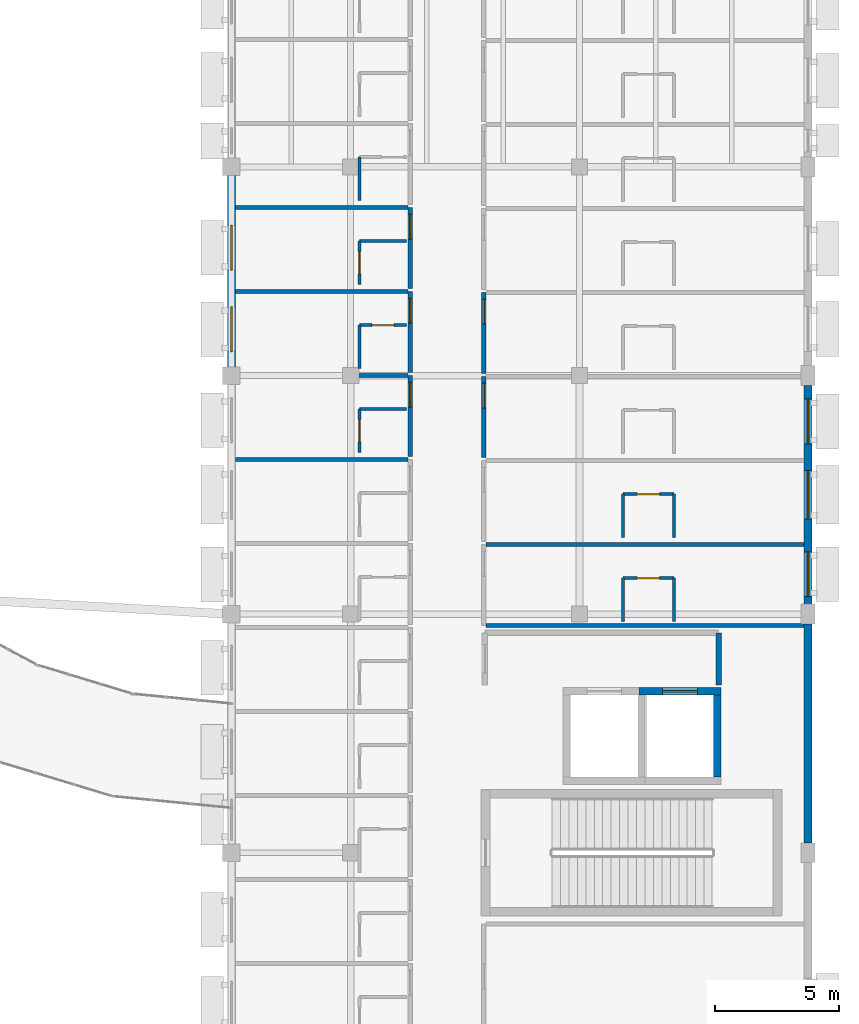
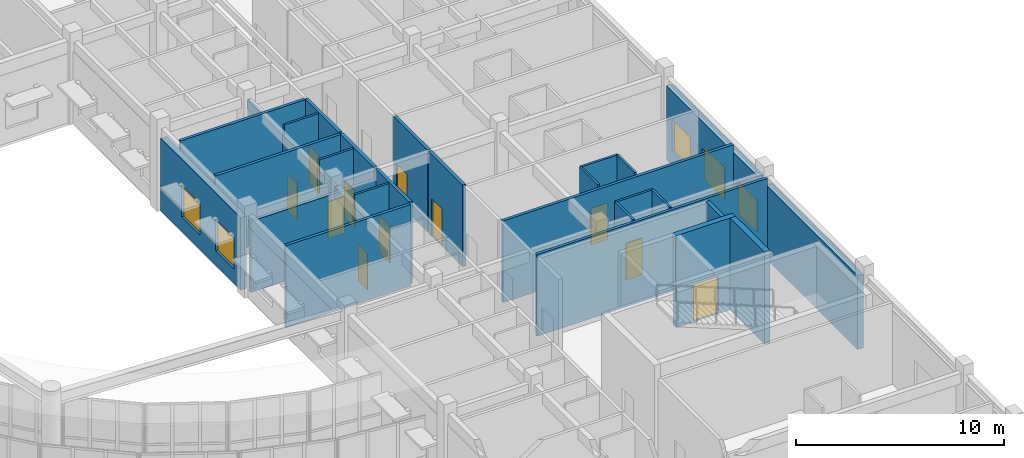
# One storey, part 52 of 68: 30 walls, 11 doors, 5 windows, 16 openings.
"""IFC4 building model written with IfcOpenShell, lengths in metres."""

from ifc_helpers import new_model, si_unit, direction, frame, frame_2d, origin, place, context, subcontext, project, spatial, rectangle, extrude, material, layer, layer_set, type_object, element, fill, save


model = new_model("IFC4")

# Units and contexts
model_context = context("Model", 3, precision=1e-05, world=origin(), true_north=direction((0.0, 1.0)))
body_context = subcontext(model_context, "Body", "Model", "MODEL_VIEW")
ifc_project = project(units=[si_unit("LENGTHUNIT", "METRE"), si_unit("AREAUNIT", "SQUARE_METRE"), si_unit("VOLUMEUNIT", "CUBIC_METRE"), si_unit("PLANEANGLEUNIT", "RADIAN"), si_unit("MASSUNIT", "GRAM", prefix="KILO")], contexts=[model_context])

# Site, building, storey
site_placement = place(None, origin())
site = spatial("IfcSite", under=ifc_project, at=site_placement, CompositionType="ELEMENT")
building_placement = place(site_placement, origin())
building = spatial("IfcBuilding", under=site, at=building_placement, Name="Veldera Park Congress Hotel", CompositionType="ELEMENT")
storey_placement = place(building_placement, frame((0.0, 0.0, 10.800048828125)))
storey = spatial("IfcBuildingStorey", under=building, at=storey_placement, Name="L02", CompositionType="ELEMENT", Elevation=10.800048828125)

# Wall
ifc_material_1 = material(Name="Cross-laminated timber CLT V2M1.1", Category="wood")
ifc_layer_1 = layer(ifc_material_1, 0.320068359375)
ifc_layer_set_1 = layer_set([ifc_layer_1], Name="Cross-laminated timber CLT V2M1.1")
wall_type_1 = type_object("IfcWallType", Name="EW-CLT320", PredefinedType="STANDARD", material=ifc_layer_set_1)
wall_1_placement = place(storey_placement, frame((84.0, -8.60205078125, 0.0), z_axis=(0.0, 0.0, 1.0), x_axis=(0.0, 1.0, 0.0)))
element("IfcWall", 1, at=wall_1_placement, inside=storey, type_object=wall_type_1, Name="L02 Exterior Wall EW3-L02-0180", PredefinedType="STANDARD", context=body_context, shape_type="SweptSolid", body=[
    extrude(rectangle(XDim=8.803955078125, YDim=0.320068359375, at=frame_2d((4.40185546875, 0.0))), origin(), (0.0, 0.0, 1.0), 4.33203125),
])

# Wall, openings, windows
wall_2_placement = place(storey_placement, frame((84.0, 0.998046875, 0.0), z_axis=(0.0, 0.0, 1.0), x_axis=(0.0, 1.0, 0.0)))
wall_2 = element("IfcWall", 2, at=wall_2_placement, inside=storey, type_object=wall_type_1, Name="L02 Exterior Wall EW3-L02-0181", PredefinedType="STANDARD", context=body_context, shape_type="SweptSolid", body=[
    extrude(rectangle(XDim=8.803955078125, YDim=0.320068359375, at=frame_2d((4.40185546875, 0.0))), origin(), (0.0, 0.0, 1.0), 4.33203125),
])
opening_1_placement = place(wall_2_placement, frame((3.427001953125, 0.0, 0.85009765625)))
opening_1 = element("IfcOpeningElement", 3, at=opening_1_placement, cuts=wall_2, Name="Opening WIN-1950", PredefinedType="OPENING", context=body_context, shape_type="SweptSolid", body=[
    extrude(rectangle(XDim=1.949951171875, YDim=1.89990234375, at=frame_2d((0.97509765625, 0.949951171875))), frame((0.0, 0.172119140625, 0.0), z_axis=(0.0, -1.0, 0.0), x_axis=(1.0, 0.0, 0.0)), (0.0, 0.0, 1.0), 0.343994140625),
])
opening_2_placement = place(wall_2_placement, frame((0.305908203125, 0.0, 0.85009765625)))
opening_2 = element("IfcOpeningElement", 4, at=opening_2_placement, cuts=wall_2, Name="Opening WIN-1800", PredefinedType="OPENING", context=body_context, shape_type="SweptSolid", body=[
    extrude(rectangle(XDim=1.800048828125, YDim=1.85009765625, at=frame_2d((0.89990234375, 0.925048828125))), frame((0.0, 0.172119140625, 0.0), z_axis=(0.0, -1.0, 0.0), x_axis=(1.0, 0.0, 0.0)), (0.0, 0.0, 1.0), 0.343994140625),
])
opening_3_placement = place(wall_2_placement, frame((6.4580078125, 0.0, 0.85009765625)))
opening_3 = element("IfcOpeningElement", 5, at=opening_3_placement, cuts=wall_2, Name="Opening WIN-1800", PredefinedType="OPENING", context=body_context, shape_type="SweptSolid", body=[
    extrude(rectangle(XDim=1.800048828125, YDim=1.85009765625, at=frame_2d((0.89990234375, 0.925048828125))), frame((0.0, 0.172119140625, 0.0), z_axis=(0.0, -1.0, 0.0), x_axis=(1.0, 0.0, 0.0)), (0.0, 0.0, 1.0), 0.343994140625),
])
ifc_material_2 = material(Name="Low-E Triple Insulating Glass Unit (SHGC 0.22)", Category="glass")
window_type_1 = type_object("IfcWindowType", Name="WIN-1800", PartitioningType="SINGLE_PANEL", PredefinedType="WINDOW", material=ifc_material_2)
window_1_placement = place(opening_2_placement, origin())
window_1 = element("IfcWindow", 6, at=window_1_placement, inside=storey, type_object=window_type_1, Name="L02 Window WIN-1800 387", OverallHeight=1.85009765625, OverallWidth=1.800048828125, PartitioningType="SINGLE_PANEL", PredefinedType="WINDOW", context=body_context, shape_type="SweptSolid", body=[
    extrude(rectangle(XDim=1.800048828125, YDim=1.85009765625, at=frame_2d((0.89990234375, 0.925048828125))), frame((0.0, 0.030029296875, 0.0), z_axis=(0.0, -1.0, 0.0), x_axis=(1.0, 0.0, 0.0)), (0.0, 0.0, 1.0), 0.06005859375),
])
fill(opening_2, window_1)
window_2_placement = place(opening_3_placement, origin())
window_2 = element("IfcWindow", 7, at=window_2_placement, inside=storey, type_object=window_type_1, Name="L02 Window WIN-1800 388", OverallHeight=1.85009765625, OverallWidth=1.800048828125, PartitioningType="SINGLE_PANEL", PredefinedType="WINDOW", context=body_context, shape_type="SweptSolid", body=[
    extrude(rectangle(XDim=1.800048828125, YDim=1.85009765625, at=frame_2d((0.89990234375, 0.925048828125))), frame((0.0, 0.030029296875, 0.0), z_axis=(0.0, -1.0, 0.0), x_axis=(1.0, 0.0, 0.0)), (0.0, 0.0, 1.0), 0.06005859375),
])
fill(opening_3, window_2)
window_type_2 = type_object("IfcWindowType", Name="WIN-1950", PartitioningType="DOUBLE_PANEL_VERTICAL", PredefinedType="WINDOW", material=ifc_material_2)
window_3_placement = place(opening_1_placement, origin())
window_3 = element("IfcWindow", 8, at=window_3_placement, inside=storey, type_object=window_type_2, Name="L02 Window WIN-1950 179", OverallHeight=1.89990234375, OverallWidth=1.949951171875, PartitioningType="DOUBLE_PANEL_VERTICAL", PredefinedType="WINDOW", context=body_context, shape_type="SweptSolid", body=[
    extrude(rectangle(XDim=1.949951171875, YDim=1.89990234375, at=frame_2d((0.97509765625, 0.949951171875))), frame((0.0, 0.030029296875, 0.0), z_axis=(0.0, -1.0, 0.0), x_axis=(1.0, 0.0, 0.0)), (0.0, 0.0, 1.0), 0.06005859375),
])
fill(opening_1, window_3)

wall_3_placement = place(storey_placement, frame((60.800048828125, 18.251953125, 0.0), z_axis=(0.0, 0.0, 1.0), x_axis=(0.0, -1.0, 0.0)))
wall_3 = element("IfcWall", 9, at=wall_3_placement, inside=storey, type_object=wall_type_1, Name="L02 Exterior Wall EW3-L02-0199", PredefinedType="STANDARD", context=body_context, shape_type="SweptSolid", body=[
    extrude(rectangle(XDim=7.703857421875, YDim=0.320068359375, at=frame_2d((3.85205078125, 0.0))), origin(), (0.0, 0.0, 1.0), 4.2548828125),
])
opening_4_placement = place(wall_3_placement, frame((5.282958984375, 0.0, 0.85009765625)))
opening_4 = element("IfcOpeningElement", 10, at=opening_4_placement, cuts=wall_3, Name="Opening WIN-1800", PredefinedType="OPENING", context=body_context, shape_type="SweptSolid", body=[
    extrude(rectangle(XDim=1.800048828125, YDim=1.85009765625, at=frame_2d((0.89990234375, 0.925048828125))), frame((0.0, 0.172119140625, 0.0), z_axis=(0.0, -1.0, 0.0), x_axis=(1.0, 0.0, 0.0)), (0.0, 0.0, 1.0), 0.343994140625),
])
opening_5_placement = place(wall_3_placement, frame((2.011962890625, 0.0, 0.85009765625)))
opening_5 = element("IfcOpeningElement", 11, at=opening_5_placement, cuts=wall_3, Name="Opening WIN-1800", PredefinedType="OPENING", context=body_context, shape_type="SweptSolid", body=[
    extrude(rectangle(XDim=1.800048828125, YDim=1.85009765625, at=frame_2d((0.89990234375, 0.925048828125))), frame((0.0, 0.172119140625, 0.0), z_axis=(0.0, -1.0, 0.0), x_axis=(1.0, 0.0, 0.0)), (0.0, 0.0, 1.0), 0.343994140625),
])
window_4_placement = place(opening_4_placement, origin())
window_4 = element("IfcWindow", 12, at=window_4_placement, inside=storey, type_object=window_type_1, Name="L02 Window WIN-1800 372", OverallHeight=1.85009765625, OverallWidth=1.800048828125, PartitioningType="SINGLE_PANEL", PredefinedType="WINDOW", context=body_context, shape_type="SweptSolid", body=[
    extrude(rectangle(XDim=1.800048828125, YDim=1.85009765625, at=frame_2d((0.89990234375, 0.925048828125))), frame((0.0, 0.030029296875, 0.0), z_axis=(0.0, -1.0, 0.0), x_axis=(1.0, 0.0, 0.0)), (0.0, 0.0, 1.0), 0.06005859375),
])
fill(opening_4, window_4)
window_5_placement = place(opening_5_placement, origin())
window_5 = element("IfcWindow", 13, at=window_5_placement, inside=storey, type_object=window_type_1, Name="L02 Window WIN-1800 373", OverallHeight=1.85009765625, OverallWidth=1.800048828125, PartitioningType="SINGLE_PANEL", PredefinedType="WINDOW", context=body_context, shape_type="SweptSolid", body=[
    extrude(rectangle(XDim=1.800048828125, YDim=1.85009765625, at=frame_2d((0.89990234375, 0.925048828125))), frame((0.0, 0.030029296875, 0.0), z_axis=(0.0, -1.0, 0.0), x_axis=(1.0, 0.0, 0.0)), (0.0, 0.0, 1.0), 0.06005859375),
])
fill(opening_5, window_5)

# Wall, opening, door
ifc_material_3 = material(Name="Fire-Rated Gypsum Board on Cold-Formed Steel Studs", Category="steel")
ifc_layer_2 = layer(ifc_material_3, 0.1201171875)
ifc_layer_set_2 = layer_set([ifc_layer_2], Name="Fire-Rated Gypsum Board on Cold-Formed Steel Studs")
wall_type_2 = type_object("IfcWallType", Name="IW-BATH120", PredefinedType="PARTITIONING", material=ifc_layer_set_2)
wall_4_placement = place(storey_placement, frame((65.949951171875, 7.10009765625, 0.0), z_axis=(0.0, 0.0, 1.0), x_axis=(0.0, 1.0, 0.0)))
wall_4 = element("IfcWall", 14, at=wall_4_placement, inside=storey, type_object=wall_type_2, Name="L02 Partition Wall IW3-L02-00426", PredefinedType="PARTITIONING", context=body_context, shape_type="SweptSolid", body=[
    extrude(rectangle(XDim=1.75, YDim=0.1201171875, at=frame_2d((0.875, 0.0))), origin(), (0.0, 0.0, 1.0), 4.155029296875),
])
opening_6_placement = place(wall_4_placement, frame((0.425048828125, 0.0, 0.0)))
opening_6 = element("IfcOpeningElement", 15, at=opening_6_placement, cuts=wall_4, Name="Opening ID-BATH090", PredefinedType="OPENING", context=body_context, shape_type="SweptSolid", body=[
    extrude(rectangle(XDim=0.89990234375, YDim=2.14990234375, at=frame_2d((0.449951171875, 1.074951171875))), frame((0.0, 0.072021484375, 0.0), z_axis=(0.0, -1.0, 0.0), x_axis=(1.0, 0.0, 0.0)), (0.0, 0.0, 1.0), 0.14404296875),
])
ifc_material_4 = material(Name="Solid Core White Oak Architectural Door", Category="wood")
door_type_1 = type_object("IfcDoorType", Name="ID-BATH090", OperationType="NOTDEFINED", PredefinedType="DOOR", material=ifc_material_4)
door_1_placement = place(opening_6_placement, origin())
door_1 = element("IfcDoor", 16, at=door_1_placement, inside=storey, type_object=door_type_1, Name="L02 En-suite 016 Door ID3-L02-0171 (DR3-ID3-L02-0171)", OperationType="SINGLE_SWING_LEFT", OverallHeight=2.14990234375, OverallWidth=0.89990234375, PredefinedType="DOOR", context=body_context, shape_type="SweptSolid", body=[
    extrude(rectangle(XDim=0.89990234375, YDim=2.14990234375, at=frame_2d((0.449951171875, 1.074951171875))), frame((0.0, 0.02490234375, 0.0), z_axis=(0.0, -1.0, 0.0), x_axis=(1.0, 0.0, 0.0)), (0.0, 0.0, 1.0), 0.050048828125),
])
fill(opening_6, door_1)

# Walls
wall_5_placement = place(storey_placement, frame((65.949951171875, 8.85009765625, 0.0), z_axis=(0.0, 0.0, 1.0), x_axis=(1.0, 0.0, 0.0)))
element("IfcWall", 17, at=wall_5_placement, inside=storey, type_object=wall_type_2, Name="L02 Partition Wall IW3-L02-00427", PredefinedType="PARTITIONING", context=body_context, shape_type="SweptSolid", body=[
    extrude(rectangle(XDim=1.900146484375, YDim=0.1201171875, at=frame_2d((0.9501953125, 0.0))), origin(), (0.0, 0.0, 1.0), 4.800048828125),
])
wall_6_placement = place(storey_placement, frame((65.949951171875, 10.47998046875, 0.0), z_axis=(0.0, 0.0, 1.0), x_axis=(0.0, 1.0, 0.0)))
element("IfcWall", 18, at=wall_6_placement, inside=storey, type_object=wall_type_2, Name="L02 Partition Wall IW3-L02-00430", PredefinedType="PARTITIONING", context=body_context, shape_type="SweptSolid", body=[
    extrude(rectangle(XDim=1.75, YDim=0.1201171875, at=frame_2d((0.875, 0.0))), origin(), (0.0, 0.0, 1.0), 4.2548828125),
])

# Wall, opening, door
wall_7_placement = place(storey_placement, frame((65.949951171875, 12.22998046875, 0.0), z_axis=(0.0, 0.0, 1.0), x_axis=(1.0, 0.0, 0.0)))
wall_7 = element("IfcWall", 19, at=wall_7_placement, inside=storey, type_object=wall_type_2, Name="L02 Partition Wall IW3-L02-00431", PredefinedType="PARTITIONING", context=body_context, shape_type="SweptSolid", body=[
    extrude(rectangle(XDim=1.900146484375, YDim=0.1201171875, at=frame_2d((0.9501953125, 0.0))), origin(), (0.0, 0.0, 1.0), 4.800048828125),
])
opening_7_placement = place(wall_7_placement, frame((0.5, 0.0, 0.0)))
opening_7 = element("IfcOpeningElement", 20, at=opening_7_placement, cuts=wall_7, Name="Opening ID-BATH090", PredefinedType="OPENING", context=body_context, shape_type="SweptSolid", body=[
    extrude(rectangle(XDim=0.89990234375, YDim=2.14990234375, at=frame_2d((0.449951171875, 1.074951171875))), frame((0.0, 0.072021484375, 0.0), z_axis=(0.0, -1.0, 0.0), x_axis=(1.0, 0.0, 0.0)), (0.0, 0.0, 1.0), 0.14404296875),
])
door_2_placement = place(opening_7_placement, origin())
door_2 = element("IfcDoor", 21, at=door_2_placement, inside=storey, type_object=door_type_1, Name="L02 En-suite 017 Door ID3-L02-0173 (DR3-ID3-L02-0173)", OperationType="SINGLE_SWING_LEFT", OverallHeight=2.14990234375, OverallWidth=0.89990234375, PredefinedType="DOOR", context=body_context, shape_type="SweptSolid", body=[
    extrude(rectangle(XDim=0.89990234375, YDim=2.14990234375, at=frame_2d((0.449951171875, 1.074951171875))), frame((0.0, 0.02490234375, 0.0), z_axis=(0.0, -1.0, 0.0), x_axis=(1.0, 0.0, 0.0)), (0.0, 0.0, 1.0), 0.050048828125),
])
fill(opening_7, door_2)

wall_8_placement = place(storey_placement, frame((65.949951171875, 13.860107421875, 0.0), z_axis=(0.0, 0.0, 1.0), x_axis=(0.0, 1.0, 0.0)))
wall_8 = element("IfcWall", 22, at=wall_8_placement, inside=storey, type_object=wall_type_2, Name="L02 Partition Wall IW3-L02-00434", PredefinedType="PARTITIONING", context=body_context, shape_type="SweptSolid", body=[
    extrude(rectangle(XDim=1.75, YDim=0.1201171875, at=frame_2d((0.875, 0.0))), origin(), (0.0, 0.0, 1.0), 4.2548828125),
])
opening_8_placement = place(wall_8_placement, frame((0.425048828125, 0.0, 0.0)))
opening_8 = element("IfcOpeningElement", 23, at=opening_8_placement, cuts=wall_8, Name="Opening ID-BATH090", PredefinedType="OPENING", context=body_context, shape_type="SweptSolid", body=[
    extrude(rectangle(XDim=0.89990234375, YDim=2.14990234375, at=frame_2d((0.449951171875, 1.074951171875))), frame((0.0, 0.072021484375, 0.0), z_axis=(0.0, -1.0, 0.0), x_axis=(1.0, 0.0, 0.0)), (0.0, 0.0, 1.0), 0.14404296875),
])
door_3_placement = place(opening_8_placement, origin())
door_3 = element("IfcDoor", 24, at=door_3_placement, inside=storey, type_object=door_type_1, Name="L02 En-suite 018 Door ID3-L02-0175 (DR3-ID3-L02-0175)", OperationType="SINGLE_SWING_LEFT", OverallHeight=2.14990234375, OverallWidth=0.89990234375, PredefinedType="DOOR", context=body_context, shape_type="SweptSolid", body=[
    extrude(rectangle(XDim=0.89990234375, YDim=2.14990234375, at=frame_2d((0.449951171875, 1.074951171875))), frame((0.0, 0.02490234375, 0.0), z_axis=(0.0, -1.0, 0.0), x_axis=(1.0, 0.0, 0.0)), (0.0, 0.0, 1.0), 0.050048828125),
])
fill(opening_8, door_3)

# Walls
wall_9_placement = place(storey_placement, frame((65.949951171875, 15.610107421875, 0.0), z_axis=(0.0, 0.0, 1.0), x_axis=(1.0, 0.0, 0.0)))
element("IfcWall", 25, at=wall_9_placement, inside=storey, type_object=wall_type_2, Name="L02 Partition Wall IW3-L02-00435", PredefinedType="PARTITIONING", context=body_context, shape_type="SweptSolid", body=[
    extrude(rectangle(XDim=1.900146484375, YDim=0.1201171875, at=frame_2d((0.9501953125, 0.0))), origin(), (0.0, 0.0, 1.0), 4.800048828125),
])
wall_10_placement = place(storey_placement, frame((65.949951171875, 17.239990234375, 0.0), z_axis=(0.0, 0.0, 1.0), x_axis=(0.0, 1.0, 0.0)))
element("IfcWall", 26, at=wall_10_placement, inside=storey, type_object=wall_type_2, Name="L02 Partition Wall IW3-L02-00438", PredefinedType="PARTITIONING", context=body_context, shape_type="SweptSolid", body=[
    extrude(rectangle(XDim=1.75, YDim=0.1201171875, at=frame_2d((0.875, 0.0))), origin(), (0.0, 0.0, 1.0), 4.2548828125),
])
for number, where, z_axis, x_axis, name in (
    (27, (76.550048828125, 0.300048828125, 0.0), (0.0, 0.0, 1.0), (0.0, 1.0, 0.0), "L02 Partition Wall IW3-L02-00507"),
    (28, (78.60009765625, 0.300048828125, 0.0), (0.0, 0.0, 1.0), (0.0, 1.0, 0.0), "L02 Partition Wall IW3-L02-00508"),
):
    element("IfcWall", number, at=place(storey_placement, frame(where, z_axis=z_axis, x_axis=x_axis)), inside=storey, type_object=wall_type_2, Name=name, PredefinedType="PARTITIONING", context=body_context, shape_type="SweptSolid", body=[
        extrude(rectangle(XDim=1.75, YDim=0.1201171875, at=frame_2d((0.875, 0.0))), origin(), (0.0, 0.0, 1.0), 4.800048828125),
    ])

# Wall, opening, door
wall_11_placement = place(storey_placement, frame((76.550048828125, 2.050048828125, 0.0), z_axis=(0.0, 0.0, 1.0), x_axis=(1.0, 0.0, 0.0)))
wall_11 = element("IfcWall", 29, at=wall_11_placement, inside=storey, type_object=wall_type_2, Name="L02 Partition Wall IW3-L02-00509", PredefinedType="PARTITIONING", context=body_context, shape_type="SweptSolid", body=[
    extrude(rectangle(XDim=2.050048828125, YDim=0.1201171875, at=frame_2d((1.02490234375, 0.0))), origin(), (0.0, 0.0, 1.0), 4.800048828125),
])
opening_9_placement = place(wall_11_placement, frame((0.574951171875, 0.0, 0.0)))
opening_9 = element("IfcOpeningElement", 30, at=opening_9_placement, cuts=wall_11, Name="Opening ID-BATH090", PredefinedType="OPENING", context=body_context, shape_type="SweptSolid", body=[
    extrude(rectangle(XDim=0.89990234375, YDim=2.14990234375, at=frame_2d((0.449951171875, 1.074951171875))), frame((0.0, 0.072021484375, 0.0), z_axis=(0.0, -1.0, 0.0), x_axis=(1.0, 0.0, 0.0)), (0.0, 0.0, 1.0), 0.14404296875),
])
door_4_placement = place(opening_9_placement, origin())
door_4 = element("IfcDoor", 31, at=door_4_placement, inside=storey, type_object=door_type_1, Name="L02 En-suite 033 Door ID3-L02-0205 (DR3-ID3-L02-0205)", OperationType="SINGLE_SWING_LEFT", OverallHeight=2.14990234375, OverallWidth=0.89990234375, PredefinedType="DOOR", context=body_context, shape_type="SweptSolid", body=[
    extrude(rectangle(XDim=0.89990234375, YDim=2.14990234375, at=frame_2d((0.449951171875, 1.074951171875))), frame((0.0, 0.02490234375, 0.0), z_axis=(0.0, -1.0, 0.0), x_axis=(1.0, 0.0, 0.0)), (0.0, 0.0, 1.0), 0.050048828125),
])
fill(opening_9, door_4)

# Walls
for number, where, z_axis, x_axis, name in (
    (32, (76.550048828125, 3.679931640625, 0.0), (0.0, 0.0, 1.0), (0.0, 1.0, 0.0), "L02 Partition Wall IW3-L02-00512"),
    (33, (78.60009765625, 3.679931640625, 0.0), (0.0, 0.0, 1.0), (0.0, 1.0, 0.0), "L02 Partition Wall IW3-L02-00513"),
):
    element("IfcWall", number, at=place(storey_placement, frame(where, z_axis=z_axis, x_axis=x_axis)), inside=storey, type_object=wall_type_2, Name=name, PredefinedType="PARTITIONING", context=body_context, shape_type="SweptSolid", body=[
        extrude(rectangle(XDim=1.75, YDim=0.1201171875, at=frame_2d((0.875, 0.0))), origin(), (0.0, 0.0, 1.0), 4.800048828125),
    ])

# Wall, opening, door
wall_12_placement = place(storey_placement, frame((76.550048828125, 5.429931640625, 0.0), z_axis=(0.0, 0.0, 1.0), x_axis=(1.0, 0.0, 0.0)))
wall_12 = element("IfcWall", 34, at=wall_12_placement, inside=storey, type_object=wall_type_2, Name="L02 Partition Wall IW3-L02-00514", PredefinedType="PARTITIONING", context=body_context, shape_type="SweptSolid", body=[
    extrude(rectangle(XDim=2.050048828125, YDim=0.1201171875, at=frame_2d((1.02490234375, 0.0))), origin(), (0.0, 0.0, 1.0), 4.800048828125),
])
opening_10_placement = place(wall_12_placement, frame((0.574951171875, 0.0, 0.0)))
opening_10 = element("IfcOpeningElement", 35, at=opening_10_placement, cuts=wall_12, Name="Opening ID-BATH090", PredefinedType="OPENING", context=body_context, shape_type="SweptSolid", body=[
    extrude(rectangle(XDim=0.89990234375, YDim=2.14990234375, at=frame_2d((0.449951171875, 1.074951171875))), frame((0.0, 0.072021484375, 0.0), z_axis=(0.0, -1.0, 0.0), x_axis=(1.0, 0.0, 0.0)), (0.0, 0.0, 1.0), 0.14404296875),
])
door_5_placement = place(opening_10_placement, origin())
door_5 = element("IfcDoor", 36, at=door_5_placement, inside=storey, type_object=door_type_1, Name="L02 En-suite 034 Door ID3-L02-0207 (DR3-ID3-L02-0207)", OperationType="SINGLE_SWING_LEFT", OverallHeight=2.14990234375, OverallWidth=0.89990234375, PredefinedType="DOOR", context=body_context, shape_type="SweptSolid", body=[
    extrude(rectangle(XDim=0.89990234375, YDim=2.14990234375, at=frame_2d((0.449951171875, 1.074951171875))), frame((0.0, 0.02490234375, 0.0), z_axis=(0.0, -1.0, 0.0), x_axis=(1.0, 0.0, 0.0)), (0.0, 0.0, 1.0), 0.050048828125),
])
fill(opening_10, door_5)

ifc_layer_3 = layer(ifc_material_3, 0.179931640625)
ifc_layer_set_3 = layer_set([ifc_layer_3], Name="Fire-Rated Gypsum Board on Cold-Formed Steel Studs")
wall_type_3 = type_object("IfcWallType", Name="IW-CORR180", PredefinedType="PARTITIONING", material=ifc_layer_set_3)
wall_13_placement = place(storey_placement, frame((68.0, 6.949951171875, 0.0), z_axis=(0.0, 0.0, 1.0), x_axis=(0.0, 1.0, 0.0)))
wall_13 = element("IfcWall", 37, at=wall_13_placement, inside=storey, type_object=wall_type_3, Name="L02 Corridor Wall IW3-L02-00424", PredefinedType="PARTITIONING", context=body_context, shape_type="SweptSolid", body=[
    extrude(rectangle(XDim=3.260009765625, YDim=0.179931640625, at=frame_2d((1.6298828125, 0.0))), origin(), (0.0, 0.0, 1.0), 4.800048828125),
])
opening_11_placement = place(wall_13_placement, frame((1.97998046875, 0.0, 0.0)))
opening_11 = element("IfcOpeningElement", 38, at=opening_11_placement, cuts=wall_13, Name="Opening ID-UNIT100", PredefinedType="OPENING", context=body_context, shape_type="SweptSolid", body=[
    extrude(rectangle(XDim=1.0, YDim=2.199951171875, at=frame_2d((0.5, 1.10009765625))), frame((0.0, 0.10205078125, 0.0), z_axis=(0.0, -1.0, 0.0), x_axis=(1.0, 0.0, 0.0)), (0.0, 0.0, 1.0), 0.203857421875),
])
door_type_2 = type_object("IfcDoorType", Name="ID-UNIT100", OperationType="NOTDEFINED", PredefinedType="DOOR", material=ifc_material_4)
door_6_placement = place(opening_11_placement, origin())
door_6 = element("IfcDoor", 39, at=door_6_placement, inside=storey, type_object=door_type_2, Name="L02 Guestroom 016 Entry Door (DR3-UD3-L02-016)", OperationType="SINGLE_SWING_RIGHT", OverallHeight=2.199951171875, OverallWidth=1.0, PredefinedType="DOOR", context=body_context, shape_type="SweptSolid", body=[
    extrude(rectangle(XDim=1.0, YDim=2.199951171875, at=frame_2d((0.5, 1.10009765625))), frame((0.0, 0.02490234375, 0.0), z_axis=(0.0, -1.0, 0.0), x_axis=(1.0, 0.0, 0.0)), (0.0, 0.0, 1.0), 0.050048828125),
])
fill(opening_11, door_6)

wall_14_placement = place(storey_placement, frame((68.0, 10.330078125, 0.0), z_axis=(0.0, 0.0, 1.0), x_axis=(0.0, 1.0, 0.0)))
wall_14 = element("IfcWall", 40, at=wall_14_placement, inside=storey, type_object=wall_type_3, Name="L02 Corridor Wall IW3-L02-00428", PredefinedType="PARTITIONING", context=body_context, shape_type="SweptSolid", body=[
    extrude(rectangle(XDim=3.260009765625, YDim=0.179931640625, at=frame_2d((1.6298828125, 0.0))), origin(), (0.0, 0.0, 1.0), 4.800048828125),
])
opening_12_placement = place(wall_14_placement, frame((1.97998046875, 0.0, 0.0)))
opening_12 = element("IfcOpeningElement", 41, at=opening_12_placement, cuts=wall_14, Name="Opening ID-UNIT100", PredefinedType="OPENING", context=body_context, shape_type="SweptSolid", body=[
    extrude(rectangle(XDim=1.0, YDim=2.199951171875, at=frame_2d((0.5, 1.10009765625))), frame((0.0, 0.10205078125, 0.0), z_axis=(0.0, -1.0, 0.0), x_axis=(1.0, 0.0, 0.0)), (0.0, 0.0, 1.0), 0.203857421875),
])
door_7_placement = place(opening_12_placement, origin())
door_7 = element("IfcDoor", 42, at=door_7_placement, inside=storey, type_object=door_type_2, Name="L02 Guestroom 017 Entry Door (DR3-UD3-L02-017)", OperationType="SINGLE_SWING_RIGHT", OverallHeight=2.199951171875, OverallWidth=1.0, PredefinedType="DOOR", context=body_context, shape_type="SweptSolid", body=[
    extrude(rectangle(XDim=1.0, YDim=2.199951171875, at=frame_2d((0.5, 1.10009765625))), frame((0.0, 0.02490234375, 0.0), z_axis=(0.0, -1.0, 0.0), x_axis=(1.0, 0.0, 0.0)), (0.0, 0.0, 1.0), 0.050048828125),
])
fill(opening_12, door_7)

wall_15_placement = place(storey_placement, frame((68.0, 13.7099609375, 0.0), z_axis=(0.0, 0.0, 1.0), x_axis=(0.0, 1.0, 0.0)))
wall_15 = element("IfcWall", 43, at=wall_15_placement, inside=storey, type_object=wall_type_3, Name="L02 Corridor Wall IW3-L02-00432", PredefinedType="PARTITIONING", context=body_context, shape_type="SweptSolid", body=[
    extrude(rectangle(XDim=3.260009765625, YDim=0.179931640625, at=frame_2d((1.6298828125, 0.0))), origin(), (0.0, 0.0, 1.0), 4.800048828125),
])
opening_13_placement = place(wall_15_placement, frame((1.97998046875, 0.0, 0.0)))
opening_13 = element("IfcOpeningElement", 44, at=opening_13_placement, cuts=wall_15, Name="Opening ID-UNIT100", PredefinedType="OPENING", context=body_context, shape_type="SweptSolid", body=[
    extrude(rectangle(XDim=1.0, YDim=2.199951171875, at=frame_2d((0.5, 1.10009765625))), frame((0.0, 0.10205078125, 0.0), z_axis=(0.0, -1.0, 0.0), x_axis=(1.0, 0.0, 0.0)), (0.0, 0.0, 1.0), 0.203857421875),
])
door_8_placement = place(opening_13_placement, origin())
door_8 = element("IfcDoor", 45, at=door_8_placement, inside=storey, type_object=door_type_2, Name="L02 Guestroom 018 Entry Door (DR3-UD3-L02-018)", OperationType="SINGLE_SWING_RIGHT", OverallHeight=2.199951171875, OverallWidth=1.0, PredefinedType="DOOR", context=body_context, shape_type="SweptSolid", body=[
    extrude(rectangle(XDim=1.0, YDim=2.199951171875, at=frame_2d((0.5, 1.10009765625))), frame((0.0, 0.02490234375, 0.0), z_axis=(0.0, -1.0, 0.0), x_axis=(1.0, 0.0, 0.0)), (0.0, 0.0, 1.0), 0.050048828125),
])
fill(opening_13, door_8)

wall_16_placement = place(storey_placement, frame((70.949951171875, 10.169921875, 0.0), z_axis=(0.0, 0.0, 1.0), x_axis=(0.0, -1.0, 0.0)))
wall_16 = element("IfcWall", 46, at=wall_16_placement, inside=storey, type_object=wall_type_3, Name="L02 Corridor Wall IW3-L02-00515", PredefinedType="PARTITIONING", context=body_context, shape_type="SweptSolid", body=[
    extrude(rectangle(XDim=3.260009765625, YDim=0.179931640625, at=frame_2d((1.6298828125, 0.0))), origin(), (0.0, 0.0, 1.0), 4.800048828125),
])
opening_14_placement = place(wall_16_placement, frame((0.280029296875, 0.0, 0.0)))
opening_14 = element("IfcOpeningElement", 47, at=opening_14_placement, cuts=wall_16, Name="Opening ID-UNIT100", PredefinedType="OPENING", context=body_context, shape_type="SweptSolid", body=[
    extrude(rectangle(XDim=1.0, YDim=2.199951171875, at=frame_2d((0.5, 1.10009765625))), frame((0.0, 0.10205078125, 0.0), z_axis=(0.0, -1.0, 0.0), x_axis=(1.0, 0.0, 0.0)), (0.0, 0.0, 1.0), 0.203857421875),
])
door_9_placement = place(opening_14_placement, origin())
door_9 = element("IfcDoor", 48, at=door_9_placement, inside=storey, type_object=door_type_2, Name="L02 Guestroom 035 Entry Door (DR3-UD3-L02-035)", OperationType="SINGLE_SWING_RIGHT", OverallHeight=2.199951171875, OverallWidth=1.0, PredefinedType="DOOR", context=body_context, shape_type="SweptSolid", body=[
    extrude(rectangle(XDim=1.0, YDim=2.199951171875, at=frame_2d((0.5, 1.10009765625))), frame((0.0, 0.02490234375, 0.0), z_axis=(0.0, -1.0, 0.0), x_axis=(1.0, 0.0, 0.0)), (0.0, 0.0, 1.0), 0.050048828125),
])
fill(opening_14, door_9)

wall_17_placement = place(storey_placement, frame((70.949951171875, 13.550048828125, 0.0), z_axis=(0.0, 0.0, 1.0), x_axis=(0.0, -1.0, 0.0)))
wall_17 = element("IfcWall", 49, at=wall_17_placement, inside=storey, type_object=wall_type_3, Name="L02 Corridor Wall IW3-L02-00520", PredefinedType="PARTITIONING", context=body_context, shape_type="SweptSolid", body=[
    extrude(rectangle(XDim=3.260009765625, YDim=0.179931640625, at=frame_2d((1.6298828125, 0.0))), origin(), (0.0, 0.0, 1.0), 4.800048828125),
])
opening_15_placement = place(wall_17_placement, frame((0.280029296875, 0.0, 0.0)))
opening_15 = element("IfcOpeningElement", 50, at=opening_15_placement, cuts=wall_17, Name="Opening ID-UNIT100", PredefinedType="OPENING", context=body_context, shape_type="SweptSolid", body=[
    extrude(rectangle(XDim=1.0, YDim=2.199951171875, at=frame_2d((0.5, 1.10009765625))), frame((0.0, 0.10205078125, 0.0), z_axis=(0.0, -1.0, 0.0), x_axis=(1.0, 0.0, 0.0)), (0.0, 0.0, 1.0), 0.203857421875),
])
door_10_placement = place(opening_15_placement, origin())
door_10 = element("IfcDoor", 51, at=door_10_placement, inside=storey, type_object=door_type_2, Name="L02 Guestroom 036 Entry Door (DR3-UD3-L02-036)", OperationType="SINGLE_SWING_RIGHT", OverallHeight=2.199951171875, OverallWidth=1.0, PredefinedType="DOOR", context=body_context, shape_type="SweptSolid", body=[
    extrude(rectangle(XDim=1.0, YDim=2.199951171875, at=frame_2d((0.5, 1.10009765625))), frame((0.0, 0.02490234375, 0.0), z_axis=(0.0, -1.0, 0.0), x_axis=(1.0, 0.0, 0.0)), (0.0, 0.0, 1.0), 0.050048828125),
])
fill(opening_15, door_10)

# Walls
ifc_material_5 = material(Name="Concrete f'c 40 MPa (5,800 psi)", Category="concrete")
ifc_layer_4 = layer(ifc_material_5, 0.219970703125)
ifc_layer_set_4 = layer_set([ifc_layer_4], Name="Concrete f'c 40 MPa (5,800 psi)")
wall_type_4 = type_object("IfcWallType", Name="IW-FIRE220", PredefinedType="STANDARD", material=ifc_layer_set_4)
wall_18_placement = place(storey_placement, frame((80.39990234375, -2.25, 0.0), z_axis=(0.0, 0.0, 1.0), x_axis=(0.0, 1.0, 0.0)))
element("IfcWall", 52, at=wall_18_placement, inside=storey, type_object=wall_type_4, Name="L02 Partition Wall IW3-L02-00171", PredefinedType="STANDARD", context=body_context, shape_type="SweptSolid", body=[
    extrude(rectangle(XDim=2.10009765625, YDim=0.219970703125, at=frame_2d((1.050048828125, 0.0))), origin(), (0.0, 0.0, 1.0), 4.800048828125),
])
ifc_layer_5 = layer(ifc_material_1, 0.159912109375)
ifc_layer_set_5 = layer_set([ifc_layer_5], Name="Cross-laminated timber CLT V2M1.1")
wall_type_5 = type_object("IfcWallType", Name="IW-UNIT160", PredefinedType="PARTITIONING", material=ifc_layer_set_5)
wall_19_placement = place(storey_placement, frame((60.9599609375, 6.830078125, 0.0), z_axis=(0.0, 0.0, 1.0), x_axis=(1.0, 0.0, 0.0)))
element("IfcWall", 53, at=wall_19_placement, inside=storey, type_object=wall_type_5, Name="L02 Partition Wall IW3-L02-00421", PredefinedType="PARTITIONING", context=body_context, shape_type="SweptSolid", body=[
    extrude(rectangle(XDim=6.93994140625, YDim=0.159912109375, at=frame_2d((3.469970703125, 0.0))), origin(), (0.0, 0.0, 1.0), 4.800048828125),
])
wall_20_placement = place(storey_placement, frame((60.9599609375, 10.2099609375, 0.0), z_axis=(0.0, 0.0, 1.0), x_axis=(1.0, 0.0, 0.0)))
element("IfcWall", 54, at=wall_20_placement, inside=storey, type_object=wall_type_5, Name="L02 Partition Wall IW3-L02-00425", PredefinedType="PARTITIONING", context=body_context, shape_type="SweptSolid", body=[
    extrude(rectangle(XDim=6.93994140625, YDim=0.159912109375, at=frame_2d((3.469970703125, 0.0))), origin(), (0.0, 0.0, 1.0), 4.175048828125),
])
for number, where, z_axis, x_axis, name in (
    (55, (60.9599609375, 13.590087890625, 0.0), (0.0, 0.0, 1.0), (1.0, 0.0, 0.0), "L02 Partition Wall IW3-L02-00429"),
    (56, (60.9599609375, 16.969970703125, 0.0), (0.0, 0.0, 1.0), (1.0, 0.0, 0.0), "L02 Partition Wall IW3-L02-00433"),
):
    element("IfcWall", number, at=place(storey_placement, frame(where, z_axis=z_axis, x_axis=x_axis)), inside=storey, type_object=wall_type_5, Name=name, PredefinedType="PARTITIONING", context=body_context, shape_type="SweptSolid", body=[
        extrude(rectangle(XDim=6.93994140625, YDim=0.159912109375, at=frame_2d((3.469970703125, 0.0))), origin(), (0.0, 0.0, 1.0), 4.800048828125),
    ])
for number, where, z_axis, x_axis, name in (
    (57, (71.050048828125, 0.14990234375, 0.0), (0.0, 0.0, 1.0), (1.0, 0.0, 0.0), "L02 Partition Wall IW3-L02-00505"),
    (58, (71.050048828125, 3.409912109375, 0.0), (0.0, 0.0, 1.0), (1.0, 0.0, 0.0), "L02 Partition Wall IW3-L02-00506"),
):
    element("IfcWall", number, at=place(storey_placement, frame(where, z_axis=z_axis, x_axis=x_axis)), inside=storey, type_object=wall_type_5, Name=name, PredefinedType="PARTITIONING", context=body_context, shape_type="SweptSolid", body=[
        extrude(rectangle(XDim=12.7900390625, YDim=0.159912109375, at=frame_2d((6.39501953125, 0.0))), origin(), (0.0, 0.0, 1.0), 4.800048828125),
    ])

# Wall, opening, door
ifc_layer_6 = layer(ifc_material_5, 0.300048828125)
ifc_layer_set_6 = layer_set([ifc_layer_6], Name="Concrete f'c 40 MPa (5,800 psi)")
wall_type_6 = type_object("IfcWallType", Name="SW-SHFT300", PredefinedType="SHEAR", material=ifc_layer_set_6)
wall_21_placement = place(storey_placement, frame((80.5, -2.5, 0.0), z_axis=(0.0, 0.0, 1.0), x_axis=(-1.0, 0.0, 0.0)))
wall_21 = element("IfcWall", 59, at=wall_21_placement, inside=storey, type_object=wall_type_6, Name="Lift SL-02 Shaft Wall L02-N", PredefinedType="SHEAR", context=body_context, shape_type="SweptSolid", body=[
    extrude(rectangle(XDim=3.300048828125, YDim=0.300048828125, at=frame_2d((1.64990234375, 0.0))), origin(), (0.0, 0.0, 1.0), 5.39990234375),
])
opening_16_placement = place(wall_21_placement, frame((0.949951171875, 0.0, 0.0)))
opening_16 = element("IfcOpeningElement", 60, at=opening_16_placement, cuts=wall_21, Name="Opening LD-140", PredefinedType="OPENING", context=body_context, shape_type="SweptSolid", body=[
    extrude(rectangle(XDim=1.39990234375, YDim=2.199951171875, at=frame_2d((0.699951171875, 1.10009765625))), frame((0.0, 0.162109375, 0.0), z_axis=(0.0, -1.0, 0.0), x_axis=(1.0, 0.0, 0.0)), (0.0, 0.0, 1.0), 0.323974609375),
])
ifc_material_6 = material(Name="Hollow Metal Fire-Rated Steel Door", Category="steel")
door_type_3 = type_object("IfcDoorType", Name="LD-140", OperationType="DOUBLE_DOOR_SLIDING", PredefinedType="DOOR", material=ifc_material_6)
door_11_placement = place(opening_16_placement, origin())
door_11 = element("IfcDoor", 61, at=door_11_placement, inside=storey, type_object=door_type_3, Name="L02 Lift SL-02 Landing Door (DR3-LD-SL-02-L02)", OperationType="DOUBLE_DOOR_SLIDING", OverallHeight=2.199951171875, OverallWidth=1.39990234375, PredefinedType="DOOR", context=body_context, shape_type="SweptSolid", body=[
    extrude(rectangle(XDim=1.39990234375, YDim=2.199951171875, at=frame_2d((0.699951171875, 1.10009765625))), frame((0.0, 0.02490234375, 0.0), z_axis=(0.0, -1.0, 0.0), x_axis=(1.0, 0.0, 0.0)), (0.0, 0.0, 1.0), 0.050048828125),
])
fill(opening_16, door_11)

# Wall
wall_22_placement = place(storey_placement, frame((80.35009765625, -5.949951171875, 0.0), z_axis=(0.0, 0.0, 1.0), x_axis=(0.0, 1.0, 0.0)))
element("IfcWall", 62, at=wall_22_placement, inside=storey, type_object=wall_type_6, Name="Lift SL-02 Shaft Wall L02-E", PredefinedType="SHEAR", context=body_context, shape_type="SweptSolid", body=[
    extrude(rectangle(XDim=3.300048828125, YDim=0.300048828125, at=frame_2d((1.64990234375, 0.0))), origin(), (0.0, 0.0, 1.0), 5.39990234375),
])

save(model, "model.ifc")
